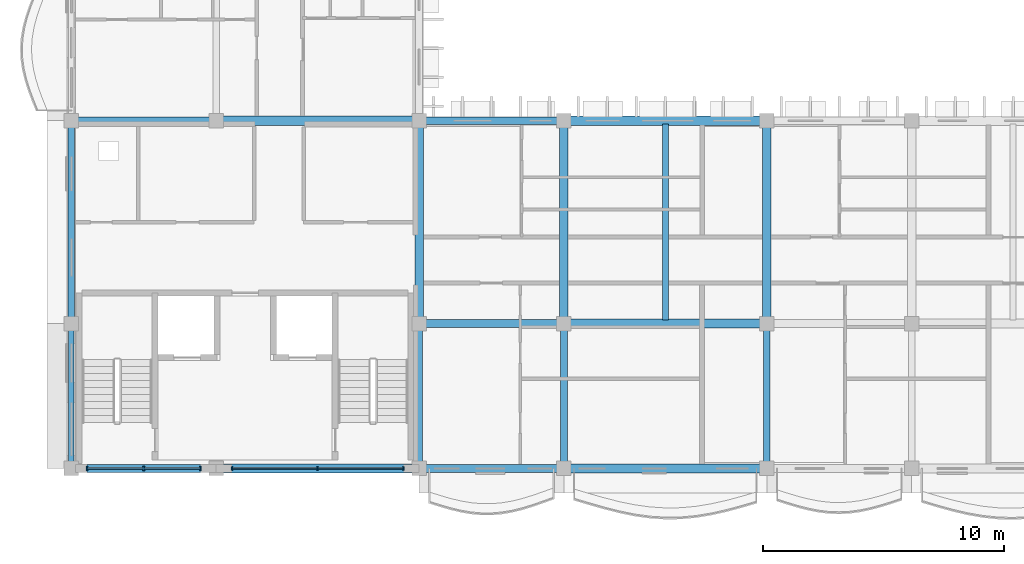
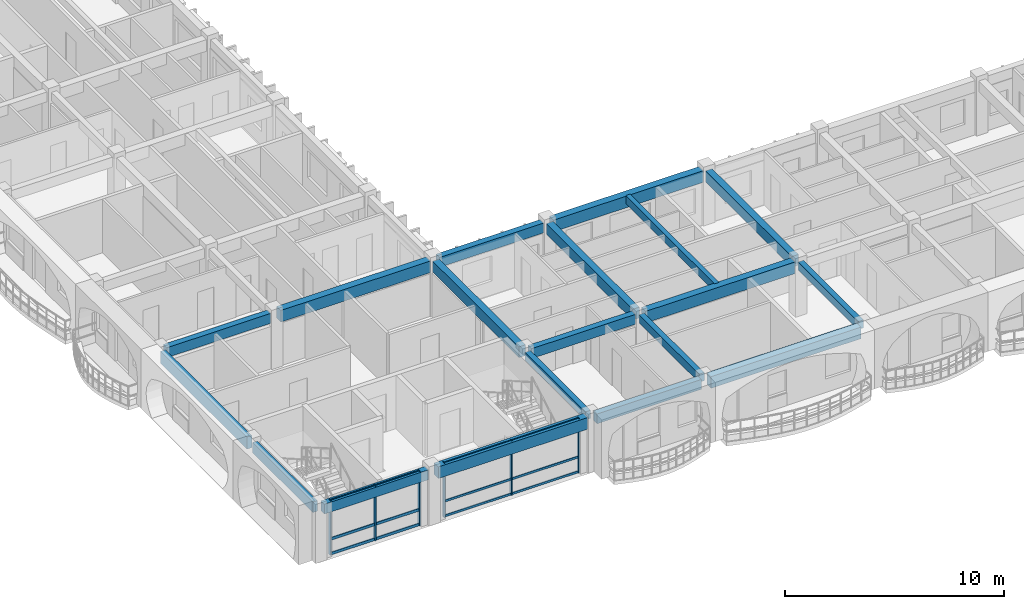
# One storey, part 12 of 101: 19 beams, 12 members, 2 elements without a shape of their own.
"""IFC4 building model written with IfcOpenShell, lengths in metres."""

from ifc_helpers import new_model, si_unit, direction, frame, origin, origin_2d, place, context, subcontext, project, spatial, rectangle, extrude, material, material_profile, profile_set, type_object, element, aggregate, save


model = new_model("IFC4")

# Units and contexts
model_context = context("Model", 3, precision=1e-05, world=origin(), true_north=direction((0.0, 1.0)))
body_context = subcontext(model_context, "Body", "Model", "MODEL_VIEW")
ifc_project = project(units=[si_unit("LENGTHUNIT", "METRE"), si_unit("AREAUNIT", "SQUARE_METRE"), si_unit("VOLUMEUNIT", "CUBIC_METRE"), si_unit("PLANEANGLEUNIT", "RADIAN"), si_unit("MASSUNIT", "GRAM", prefix="KILO"), si_unit("THERMODYNAMICTEMPERATUREUNIT", "KELVIN")], contexts=[model_context])

# Site, building, storey
site_placement = place(None, origin())
site = spatial("IfcSite", under=ifc_project, at=site_placement, CompositionType="ELEMENT")
building_placement = place(site_placement, origin())
building = spatial("IfcBuilding", under=site, at=building_placement, Name="Thalorik Housing Commons", CompositionType="ELEMENT")
storey_placement = place(building_placement, frame((0.0, 0.0, 8.10009765625)))
storey = spatial("IfcBuildingStorey", under=building, at=storey_placement, Name="L02", CompositionType="ELEMENT", Elevation=8.10009765625)

# Curtain wall, members
ifc_material_1 = material(Name="Anodised aluminium and solar-control low-E glass", Category="aluminium")
curtain_wall_type = type_object("IfcCurtainWallType", Name="ARC-CW-CORE", PredefinedType="USERDEFINED", material=ifc_material_1)
curtain_wall_1_placement = place(storey_placement, origin())
curtain_wall_1 = element("IfcCurtainWall", 1, at=curtain_wall_1_placement, inside=storey, type_object=curtain_wall_type, Name="L02 Curtain Wall CW-CORE-L02-C-136", ObjectType="CURTAIN WALL", PredefinedType="USERDEFINED")
ifc_material_2 = material(Name="Anodised aluminium 6063-T6", Category="aluminium")
ifc_material_profile_1 = material_profile(ifc_material_2, rectangle(XDim=0.06005859375, YDim=0.159912109375, at=origin_2d()), Name="ALU MUL 60x160", Category="aluminium")
ifc_profile_set_1 = profile_set([ifc_material_profile_1], Name="Anodised aluminium 6063-T6")
member_type_1 = type_object("IfcMemberType", Name="ARC-CW-MUL-60x160", PredefinedType="MULLION", material=ifc_profile_set_1)
member_1_placement = place(storey_placement, frame((15.050048828125, 8.39990234375, 0.0), z_axis=(0.0, 0.0, 1.0), x_axis=(1.0, 0.0, 0.0)))
member_1 = element("IfcMember", 2, at=member_1_placement, type_object=member_type_1, Name="CW-CORE-L02-C-136 Mullion 1", PredefinedType="MULLION", context=body_context, shape_type="SweptSolid", body=[
    extrude(rectangle(XDim=0.06005859375, YDim=0.159912109375, at=origin_2d()), origin(), (0.0, 0.0, 1.0), 3.039794921875),
])
member_2_placement = place(storey_placement, frame((18.60009765625, 8.39990234375, 0.0), z_axis=(0.0, 0.0, 1.0), x_axis=(1.0, 0.0, 0.0)))
member_2 = element("IfcMember", 3, at=member_2_placement, type_object=member_type_1, Name="CW-CORE-L02-C-136 Mullion 2", PredefinedType="MULLION", context=body_context, shape_type="SweptSolid", body=[
    extrude(rectangle(XDim=0.06005859375, YDim=0.159912109375, at=origin_2d()), origin(), (0.0, 0.0, 1.0), 3.039794921875),
])
member_3_placement = place(storey_placement, frame((22.14990234375, 8.39990234375, 0.0), z_axis=(0.0, 0.0, 1.0), x_axis=(1.0, 0.0, 0.0)))
member_3 = element("IfcMember", 4, at=member_3_placement, type_object=member_type_1, Name="CW-CORE-L02-C-136 Mullion 3", PredefinedType="MULLION", context=body_context, shape_type="SweptSolid", body=[
    extrude(rectangle(XDim=0.06005859375, YDim=0.159912109375, at=origin_2d()), origin(), (0.0, 0.0, 1.0), 3.039794921875),
])

curtain_wall_2_placement = place(storey_placement, origin())
curtain_wall_2 = element("IfcCurtainWall", 5, at=curtain_wall_2_placement, inside=storey, type_object=curtain_wall_type, Name="L02 Curtain Wall CW-CORE-L02-C-135", ObjectType="CURTAIN WALL", PredefinedType="USERDEFINED")
ifc_material_profile_2 = material_profile(ifc_material_2, rectangle(XDim=0.06494140625, YDim=0.179931640625, at=origin_2d()), Name="ALU MUL 65x180", Category="aluminium")
ifc_profile_set_2 = profile_set([ifc_material_profile_2], Name="Anodised aluminium 6063-T6")
member_type_2 = type_object("IfcMemberType", Name="ARC-CW-MUL-65x180", PredefinedType="MULLION", material=ifc_profile_set_2)
member_4_placement = place(storey_placement, frame((9.050048828125, 8.39990234375, 0.0), z_axis=(0.0, 0.0, 1.0), x_axis=(1.0, 0.0, 0.0)))
member_4 = element("IfcMember", 6, at=member_4_placement, type_object=member_type_2, Name="CW-CORE-L02-C-135 Mullion 1", PredefinedType="MULLION", context=body_context, shape_type="SweptSolid", body=[
    extrude(rectangle(XDim=0.06494140625, YDim=0.179931640625, at=origin_2d()), origin(), (0.0, 0.0, 1.0), 3.039794921875),
])
member_5_placement = place(storey_placement, frame((11.39990234375, 8.39990234375, 0.0), z_axis=(0.0, 0.0, 1.0), x_axis=(1.0, 0.0, 0.0)))
member_5 = element("IfcMember", 7, at=member_5_placement, type_object=member_type_2, Name="CW-CORE-L02-C-135 Mullion 2", PredefinedType="MULLION", context=body_context, shape_type="SweptSolid", body=[
    extrude(rectangle(XDim=0.06494140625, YDim=0.179931640625, at=origin_2d()), origin(), (0.0, 0.0, 1.0), 3.039794921875),
])
member_6_placement = place(storey_placement, frame((13.75, 8.39990234375, 0.0), z_axis=(0.0, 0.0, 1.0), x_axis=(1.0, 0.0, 0.0)))
member_6 = element("IfcMember", 8, at=member_6_placement, type_object=member_type_2, Name="CW-CORE-L02-C-135 Mullion 3", PredefinedType="MULLION", context=body_context, shape_type="SweptSolid", body=[
    extrude(rectangle(XDim=0.06494140625, YDim=0.179931640625, at=origin_2d()), origin(), (0.0, 0.0, 1.0), 3.039794921875),
])

# Member
ifc_material_profile_3 = material_profile(ifc_material_2, rectangle(XDim=0.06005859375, YDim=0.1201171875, at=origin_2d()), Name="ALU TRN 60x120", Category="aluminium")
ifc_profile_set_3 = profile_set([ifc_material_profile_3], Name="Anodised aluminium 6063-T6")
member_type_3 = type_object("IfcMemberType", Name="ARC-CW-TRN-60x120", PredefinedType="USERDEFINED", material=ifc_profile_set_3)
member_7_placement = place(storey_placement, frame((15.050048828125, 8.39990234375, 0.054931640625), z_axis=(1.0, 0.0, 0.0), x_axis=(0.0, 1.0, 0.0)))
member_7 = element("IfcMember", 9, at=member_7_placement, type_object=member_type_3, Name="CW-CORE-L02-C-136 Transom 1", ObjectType="TRANSOM", PredefinedType="USERDEFINED", context=body_context, shape_type="SweptSolid", body=[
    extrude(rectangle(XDim=0.06005859375, YDim=0.1201171875, at=origin_2d()), origin(), (0.0, 0.0, 1.0), 7.099853515625),
])

member_8_placement = place(storey_placement, frame((15.050048828125, 8.39990234375, 0.8798828125), z_axis=(1.0, 0.0, 0.0), x_axis=(0.0, 1.0, 0.0)))
member_8 = element("IfcMember", 10, at=member_8_placement, type_object=member_type_3, Name="CW-CORE-L02-C-136 Transom 2", ObjectType="TRANSOM", PredefinedType="USERDEFINED", context=body_context, shape_type="SweptSolid", body=[
    extrude(rectangle(XDim=0.06005859375, YDim=0.1201171875, at=origin_2d()), origin(), (0.0, 0.0, 1.0), 7.099853515625),
])

member_9_placement = place(storey_placement, frame((15.050048828125, 8.39990234375, 2.98486328125), z_axis=(1.0, 0.0, 0.0), x_axis=(0.0, 1.0, 0.0)))
member_9 = element("IfcMember", 11, at=member_9_placement, type_object=member_type_3, Name="CW-CORE-L02-C-136 Transom 3", ObjectType="TRANSOM", PredefinedType="USERDEFINED", context=body_context, shape_type="SweptSolid", body=[
    extrude(rectangle(XDim=0.06005859375, YDim=0.1201171875, at=origin_2d()), origin(), (0.0, 0.0, 1.0), 7.099853515625),
])

aggregate(curtain_wall_1, [member_1, member_2, member_3, member_7, member_8, member_9])

ifc_material_profile_4 = material_profile(ifc_material_2, rectangle(XDim=0.06494140625, YDim=0.14990234375, at=origin_2d()), Name="ALU TRN 65x150", Category="aluminium")
ifc_profile_set_4 = profile_set([ifc_material_profile_4], Name="Anodised aluminium 6063-T6")
member_type_4 = type_object("IfcMemberType", Name="ARC-CW-TRN-65x150", PredefinedType="USERDEFINED", material=ifc_profile_set_4)
member_10_placement = place(storey_placement, frame((9.050048828125, 8.39990234375, 0.054931640625), z_axis=(1.0, 0.0, 0.0), x_axis=(0.0, 1.0, 0.0)))
member_10 = element("IfcMember", 12, at=member_10_placement, type_object=member_type_4, Name="CW-CORE-L02-C-135 Transom 1", ObjectType="TRANSOM", PredefinedType="USERDEFINED", context=body_context, shape_type="SweptSolid", body=[
    extrude(rectangle(XDim=0.06494140625, YDim=0.14990234375, at=origin_2d()), origin(), (0.0, 0.0, 1.0), 4.699951171875),
])

member_11_placement = place(storey_placement, frame((9.050048828125, 8.39990234375, 0.8798828125), z_axis=(1.0, 0.0, 0.0), x_axis=(0.0, 1.0, 0.0)))
member_11 = element("IfcMember", 13, at=member_11_placement, type_object=member_type_4, Name="CW-CORE-L02-C-135 Transom 2", ObjectType="TRANSOM", PredefinedType="USERDEFINED", context=body_context, shape_type="SweptSolid", body=[
    extrude(rectangle(XDim=0.06494140625, YDim=0.14990234375, at=origin_2d()), origin(), (0.0, 0.0, 1.0), 4.699951171875),
])

member_12_placement = place(storey_placement, frame((9.050048828125, 8.39990234375, 2.98486328125), z_axis=(1.0, 0.0, 0.0), x_axis=(0.0, 1.0, 0.0)))
member_12 = element("IfcMember", 14, at=member_12_placement, type_object=member_type_4, Name="CW-CORE-L02-C-135 Transom 3", ObjectType="TRANSOM", PredefinedType="USERDEFINED", context=body_context, shape_type="SweptSolid", body=[
    extrude(rectangle(XDim=0.06494140625, YDim=0.14990234375, at=origin_2d()), origin(), (0.0, 0.0, 1.0), 4.699951171875),
])

aggregate(curtain_wall_2, [member_4, member_5, member_6, member_10, member_11, member_12])

# Beams
ifc_material_3 = material(Name="Precast concrete C40/50", Category="concrete")
ifc_material_profile_5 = material_profile(ifc_material_3, rectangle(XDim=0.280029296875, YDim=0.449951171875, at=origin_2d()), Name="PC 280x450", Category="concrete")
ifc_profile_set_5 = profile_set([ifc_material_profile_5], Name="Precast concrete C40/50")
beam_type_1 = type_object("IfcBeamType", Name="STR-BM-PC280x450", PredefinedType="BEAM", material=ifc_profile_set_5)
for number, where, z_axis, x_axis, name in (
    (15, (22.800048828125, 8.64990234375, 2.81494140625), (0.0, 1.0, 0.0), (-1.0, 0.0, 0.0), "L02 Beam B-450"),
    (16, (28.800048828125, 8.64990234375, 2.81494140625), (0.0, 1.0, 0.0), (-1.0, 0.0, 0.0), "L02 Beam B-450"),
    (17, (37.199951171875, 8.64990234375, 2.81494140625), (0.0, 1.0, 0.0), (-1.0, 0.0, 0.0), "L02 Beam B-450"),
):
    element("IfcBeam", number, at=place(storey_placement, frame(where, z_axis=z_axis, x_axis=x_axis)), inside=storey, type_object=beam_type_1, Name=name, PredefinedType="BEAM", context=body_context, shape_type="SweptSolid", body=[
        extrude(rectangle(XDim=0.280029296875, YDim=0.449951171875, at=origin_2d()), origin(), (0.0, 0.0, 1.0), 5.5),
    ])
ifc_material_profile_6 = material_profile(ifc_material_3, rectangle(XDim=0.320068359375, YDim=0.550048828125, at=origin_2d()), Name="PC 320x550", Category="concrete")
ifc_profile_set_6 = profile_set([ifc_material_profile_6], Name="Precast concrete C40/50")
beam_type_2 = type_object("IfcBeamType", Name="STR-BM-PC320x550", PredefinedType="BEAM", material=ifc_profile_set_6)
for number, where, z_axis, x_axis, name in (
    (18, (8.64990234375, 8.39990234375, 2.764892578125), (1.0, 0.0, 0.0), (0.0, 1.0, 0.0), "L02 Beam B-550"),
    (19, (23.050048828125, 8.39990234375, 2.764892578125), (1.0, 0.0, 0.0), (0.0, 1.0, 0.0), "L02 Beam B-550"),
    (20, (23.050048828125, 14.39990234375, 2.764892578125), (1.0, 0.0, 0.0), (0.0, 1.0, 0.0), "L02 Beam B-550"),
    (21, (8.64990234375, 22.800048828125, 2.764892578125), (1.0, 0.0, 0.0), (0.0, 1.0, 0.0), "L02 Beam B-550"),
    (22, (23.050048828125, 22.800048828125, 2.764892578125), (1.0, 0.0, 0.0), (0.0, 1.0, 0.0), "L02 Beam B-550"),
):
    element("IfcBeam", number, at=place(storey_placement, frame(where, z_axis=z_axis, x_axis=x_axis)), inside=storey, type_object=beam_type_2, Name=name, PredefinedType="BEAM", context=body_context, shape_type="SweptSolid", body=[
        extrude(rectangle(XDim=0.320068359375, YDim=0.550048828125, at=origin_2d()), origin(), (0.0, 0.0, 1.0), 5.5),
    ])
ifc_material_profile_7 = material_profile(ifc_material_3, rectangle(XDim=0.35009765625, YDim=0.60009765625, at=origin_2d()), Name="PC 350x600", Category="concrete")
ifc_profile_set_7 = profile_set([ifc_material_profile_7], Name="Precast concrete C40/50")
beam_type_3 = type_object("IfcBeamType", Name="STR-BM-PC350x600", PredefinedType="BEAM", material=ifc_profile_set_7)
for number, where, z_axis, x_axis, name in (
    (23, (22.800048828125, 14.64990234375, 2.739990234375), (0.0, 1.0, 0.0), (-1.0, 0.0, 0.0), "L02 Beam B-600"),
    (24, (28.800048828125, 14.64990234375, 2.739990234375), (0.0, 1.0, 0.0), (-1.0, 0.0, 0.0), "L02 Beam B-600"),
    (25, (37.199951171875, 14.64990234375, 2.739990234375), (0.0, 1.0, 0.0), (-1.0, 0.0, 0.0), "L02 Beam B-600"),
):
    element("IfcBeam", number, at=place(storey_placement, frame(where, z_axis=z_axis, x_axis=x_axis)), inside=storey, type_object=beam_type_3, Name=name, PredefinedType="BEAM", context=body_context, shape_type="SweptSolid", body=[
        extrude(rectangle(XDim=0.35009765625, YDim=0.60009765625, at=origin_2d()), origin(), (0.0, 0.0, 1.0), 7.900146484375),
    ])
ifc_material_profile_8 = material_profile(ifc_material_3, rectangle(XDim=0.3798828125, YDim=0.64990234375, at=origin_2d()), Name="PC 380x650", Category="concrete")
ifc_profile_set_8 = profile_set([ifc_material_profile_8], Name="Precast concrete C40/50")
beam_type_4 = type_object("IfcBeamType", Name="STR-BM-PC380x650", PredefinedType="BEAM", material=ifc_profile_set_8)
beam_1_placement = place(storey_placement, frame((14.64990234375, 8.39990234375, 2.71484375), z_axis=(1.0, 0.0, 0.0), x_axis=(0.0, 1.0, 0.0)))
element("IfcBeam", 26, at=beam_1_placement, inside=storey, type_object=beam_type_4, Name="L02 Beam B-650", PredefinedType="BEAM", context=body_context, shape_type="SweptSolid", body=[
    extrude(rectangle(XDim=0.3798828125, YDim=0.64990234375, at=origin_2d()), origin(), (0.0, 0.0, 1.0), 7.900146484375),
])
for number, where, z_axis, x_axis, name in (
    (27, (29.050048828125, 8.39990234375, 2.71484375), (1.0, 0.0, 0.0), (0.0, 1.0, 0.0), "L02 Beam B-650"),
    (28, (29.050048828125, 14.39990234375, 2.71484375), (1.0, 0.0, 0.0), (0.0, 1.0, 0.0), "L02 Beam B-650"),
):
    element("IfcBeam", number, at=place(storey_placement, frame(where, z_axis=z_axis, x_axis=x_axis)), inside=storey, type_object=beam_type_4, Name=name, PredefinedType="BEAM", context=body_context, shape_type="SweptSolid", body=[
        extrude(rectangle(XDim=0.3798828125, YDim=0.64990234375, at=origin_2d()), origin(), (0.0, 0.0, 1.0), 7.89990234375),
    ])
beam_2_placement = place(storey_placement, frame((14.64990234375, 22.800048828125, 2.71484375), z_axis=(1.0, 0.0, 0.0), x_axis=(0.0, 1.0, 0.0)))
element("IfcBeam", 29, at=beam_2_placement, inside=storey, type_object=beam_type_4, Name="L02 Beam B-650", PredefinedType="BEAM", context=body_context, shape_type="SweptSolid", body=[
    extrude(rectangle(XDim=0.3798828125, YDim=0.64990234375, at=origin_2d()), origin(), (0.0, 0.0, 1.0), 7.900146484375),
])
beam_3_placement = place(storey_placement, frame((29.050048828125, 22.800048828125, 2.71484375), z_axis=(1.0, 0.0, 0.0), x_axis=(0.0, 1.0, 0.0)))
element("IfcBeam", 30, at=beam_3_placement, inside=storey, type_object=beam_type_4, Name="L02 Beam B-650", PredefinedType="BEAM", context=body_context, shape_type="SweptSolid", body=[
    extrude(rectangle(XDim=0.3798828125, YDim=0.64990234375, at=origin_2d()), origin(), (0.0, 0.0, 1.0), 7.89990234375),
])
ifc_material_profile_9 = material_profile(ifc_material_3, rectangle(XDim=0.239990234375, YDim=0.43994140625, at=origin_2d()), Name="PC JST 240x440", Category="concrete")
ifc_profile_set_9 = profile_set([ifc_material_profile_9], Name="Precast concrete C40/50")
beam_type_5 = type_object("IfcBeamType", Name="STR-JST-PC240x440", PredefinedType="JOIST", material=ifc_profile_set_9)
beam_4_placement = place(storey_placement, frame((33.0, 14.5400390625, 2.81982421875), z_axis=(0.0, 1.0, 0.0), x_axis=(-1.0, 0.0, 0.0)))
element("IfcBeam", 31, at=beam_4_placement, inside=storey, type_object=beam_type_5, Name="L02 Beam J-440", PredefinedType="JOIST", context=body_context, shape_type="SweptSolid", body=[
    extrude(rectangle(XDim=0.239990234375, YDim=0.43994140625, at=origin_2d()), origin(), (0.0, 0.0, 1.0), 8.119873046875),
])
ifc_material_profile_10 = material_profile(ifc_material_3, rectangle(XDim=0.239990234375, YDim=0.580078125, at=origin_2d()), Name="PC SP 240x580", Category="concrete")
ifc_profile_set_10 = profile_set([ifc_material_profile_10], Name="Precast concrete C40/50")
beam_type_6 = type_object("IfcBeamType", Name="STR-SP-PC240x580", PredefinedType="SPANDREL", material=ifc_profile_set_10)
beam_5_placement = place(storey_placement, frame((8.39990234375, 8.64990234375, 2.75), z_axis=(0.0, 1.0, 0.0), x_axis=(-1.0, 0.0, 0.0)))
element("IfcBeam", 32, at=beam_5_placement, inside=storey, type_object=beam_type_6, Name="L02 Beam B-450", PredefinedType="SPANDREL", context=body_context, shape_type="SweptSolid", body=[
    extrude(rectangle(XDim=0.239990234375, YDim=0.580078125, at=origin_2d()), origin(), (0.0, 0.0, 1.0), 5.5),
])
ifc_material_profile_11 = material_profile(ifc_material_3, rectangle(XDim=0.260009765625, YDim=0.679931640625, at=origin_2d()), Name="PC SP 260x680", Category="concrete")
ifc_profile_set_11 = profile_set([ifc_material_profile_11], Name="Precast concrete C40/50")
beam_type_7 = type_object("IfcBeamType", Name="STR-SP-PC260x680", PredefinedType="SPANDREL", material=ifc_profile_set_11)
beam_6_placement = place(storey_placement, frame((8.39990234375, 14.64990234375, 2.699951171875), z_axis=(0.0, 1.0, 0.0), x_axis=(-1.0, 0.0, 0.0)))
element("IfcBeam", 33, at=beam_6_placement, inside=storey, type_object=beam_type_7, Name="L02 Beam B-600", PredefinedType="SPANDREL", context=body_context, shape_type="SweptSolid", body=[
    extrude(rectangle(XDim=0.260009765625, YDim=0.679931640625, at=origin_2d()), origin(), (0.0, 0.0, 1.0), 7.900146484375),
])

save(model, "model.ifc")
